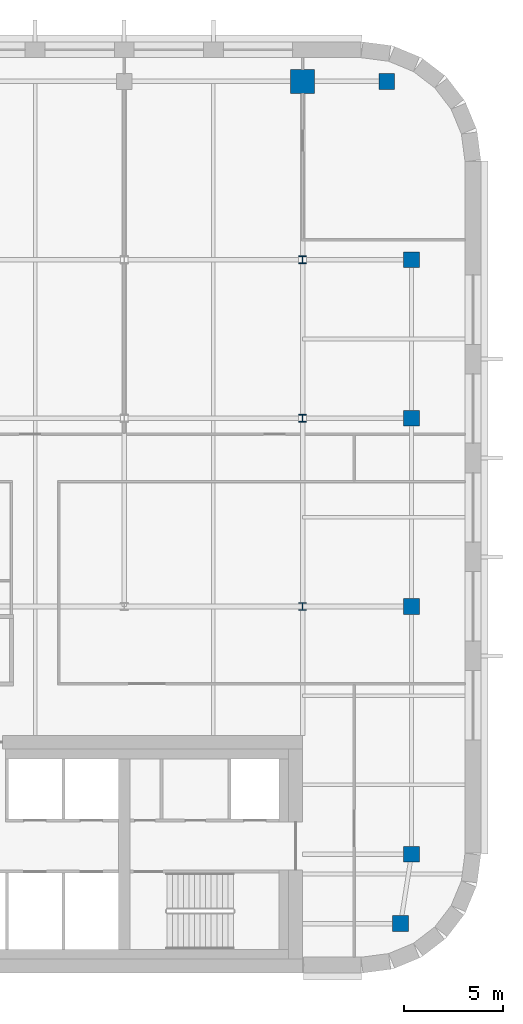
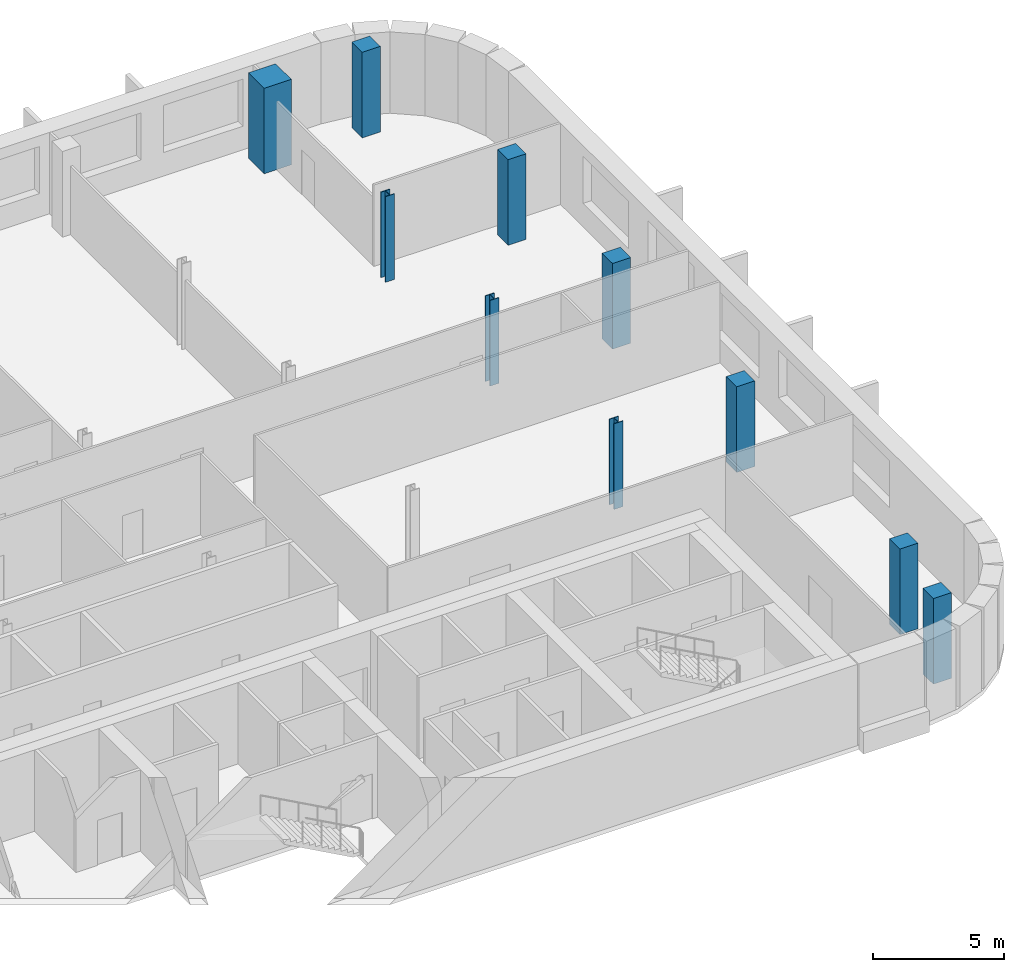
# One storey, part 4 of 16: 10 columns.
"""IFC4 building model written with IfcOpenShell, lengths in metres."""

from ifc_helpers import new_model, si_unit, direction, frame, origin, origin_2d, place, context, subcontext, project, spatial, rectangle, i_section, extrude, material, material_profile, profile_set, type_object, element, save


model = new_model("IFC4")

# Units and contexts
model_context = context("Model", 3, precision=1e-05, world=origin(), true_north=direction((0.0, 1.0)))
body_context = subcontext(model_context, "Body", "Model", "MODEL_VIEW")
ifc_project = project(units=[si_unit("LENGTHUNIT", "METRE"), si_unit("AREAUNIT", "SQUARE_METRE"), si_unit("VOLUMEUNIT", "CUBIC_METRE"), si_unit("PLANEANGLEUNIT", "RADIAN"), si_unit("MASSUNIT", "GRAM", prefix="KILO")], contexts=[model_context])

# Site, building, storey
site_placement = place(None, origin())
site = spatial("IfcSite", under=ifc_project, at=site_placement, CompositionType="ELEMENT")
building_placement = place(site_placement, origin())
building = spatial("IfcBuilding", under=site, at=building_placement, Name="Zellij Exchange Tower", CompositionType="ELEMENT")
storey_placement = place(building_placement, frame((0.0, 0.0, 248.5)))
storey = spatial("IfcBuildingStorey", under=building, at=storey_placement, Name="L58", CompositionType="ELEMENT", Elevation=248.5)

# Columns
ifc_material_1 = material(Name="Concrete C50/60", Category="concrete")
ifc_material_profile_1 = material_profile(ifc_material_1, rectangle(XDim=0.800048828125, YDim=0.800048828125, at=origin_2d()), Name="STR-COLUMN RC800x800 C50/60")
ifc_profile_set_1 = profile_set([ifc_material_profile_1], Name="Concrete C50/60")
column_type_1 = type_object("IfcColumnType", Name="STR-COLUMN RC800x800 C50/60", PredefinedType="COLUMN", material=ifc_profile_set_1)
for number, where, z_axis, x_axis, name in (
    (1, (31.949951171875, -11.5, 0.0), (0.0, 0.0, 1.0), (1.0, 0.0, 0.0), "C15"),
    (2, (32.5, -8.0, 0.0), (0.0, 0.0, 1.0), (1.0, 0.0, 0.0), "C15"),
    (3, (32.5, 4.5, 0.0), (0.0, 0.0, 1.0), (1.0, 0.0, 0.0), "C15"),
    (4, (32.5, 14.0, 0.0), (0.0, 0.0, 1.0), (1.0, 0.0, 0.0), "C15"),
    (5, (32.5, 22.0, 0.0), (0.0, 0.0, 1.0), (1.0, 0.0, 0.0), "C15"),
    (6, (31.25, 31.0, 0.0), (0.0, 0.0, 1.0), (1.0, 0.0, 0.0), "C15"),
):
    element("IfcColumn", number, at=place(storey_placement, frame(where, z_axis=z_axis, x_axis=x_axis)), inside=storey, type_object=column_type_1, Name=name, PredefinedType="COLUMN", context=body_context, shape_type="SweptSolid", body=[
        extrude(rectangle(XDim=0.800048828125, YDim=0.800048828125, at=origin_2d()), origin(), (0.0, 0.0, 1.0), 4.0),
    ])
ifc_material_2 = material(Name="Structural steel ASTM A992 Gr 50", Category="steel")
ifc_material_profile_2 = material_profile(ifc_material_2, i_section(OverallWidth=0.398681640625, OverallDepth=0.385986328125, WebThickness=0.02099609375, FlangeThickness=0.033203125, at=origin_2d()), Name="W14x176")
ifc_profile_set_2 = profile_set([ifc_material_profile_2], Name="Structural steel ASTM A992 Gr 50")
column_type_2 = type_object("IfcColumnType", Name="STR-COLUMN W14x176", PredefinedType="COLUMN", material=ifc_profile_set_2)
for number, where, z_axis, x_axis, name in (
    (7, (27.0, 4.5, 0.0), (0.0, 0.0, 1.0), (1.0, 0.0, 0.0), "C2"),
    (8, (27.0, 14.0, 0.0), (0.0, 0.0, 1.0), (1.0, 0.0, 0.0), "C2"),
    (9, (27.0, 22.0, 0.0), (0.0, 0.0, 1.0), (1.0, 0.0, 0.0), "C2"),
):
    element("IfcColumn", number, at=place(storey_placement, frame(where, z_axis=z_axis, x_axis=x_axis)), inside=storey, type_object=column_type_2, Name=name, PredefinedType="COLUMN", context=body_context, shape_type="SweptSolid", body=[
        extrude(i_section(OverallWidth=0.398681640625, OverallDepth=0.385986328125, WebThickness=0.02099609375, FlangeThickness=0.033203125, at=origin_2d()), origin(), (0.0, 0.0, 1.0), 4.0),
    ])
ifc_material_profile_3 = material_profile(ifc_material_1, rectangle(XDim=1.199951171875, YDim=1.199951171875, at=origin_2d()), Name="STR-MEGA COLUMN RC1200x1200 C50/60")
ifc_profile_set_3 = profile_set([ifc_material_profile_3], Name="Concrete C50/60")
column_type_3 = type_object("IfcColumnType", Name="STR-MEGA COLUMN RC1200x1200 C50/60", PredefinedType="COLUMN", material=ifc_profile_set_3)
column_placement = place(storey_placement, frame((27.0, 31.0, 0.0), z_axis=(0.0, 0.0, 1.0), x_axis=(1.0, 0.0, 0.0)))
element("IfcColumn", 10, at=column_placement, inside=storey, type_object=column_type_3, Name="MC2", PredefinedType="COLUMN", context=body_context, shape_type="SweptSolid", body=[
    extrude(rectangle(XDim=1.199951171875, YDim=1.199951171875, at=origin_2d()), origin(), (0.0, 0.0, 1.0), 4.0),
])

save(model, "model.ifc")
